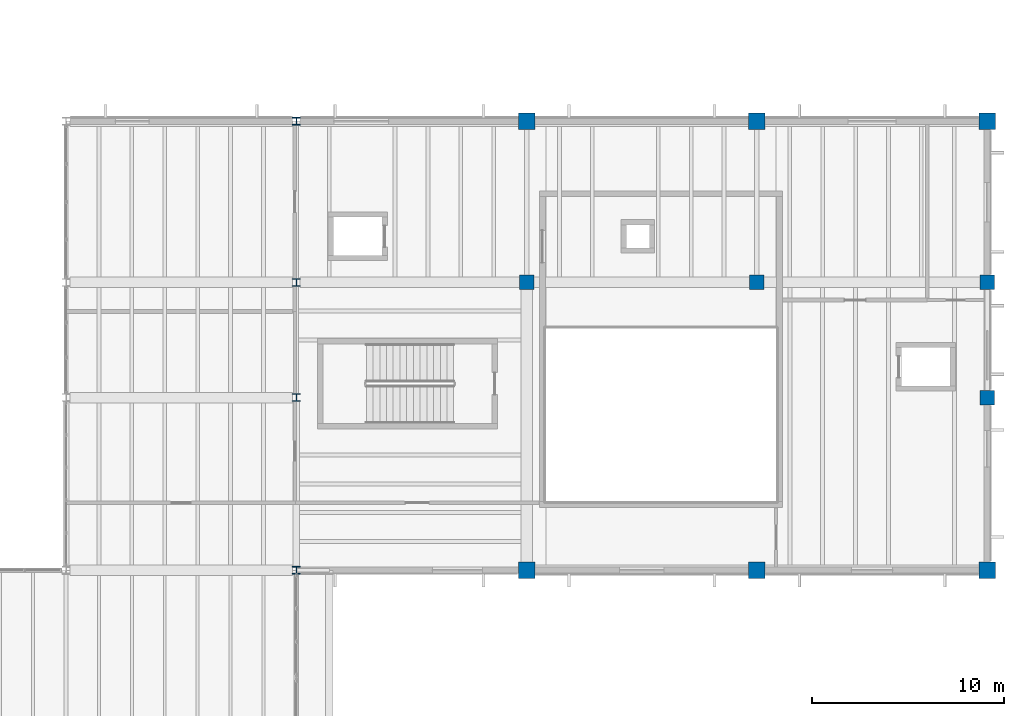
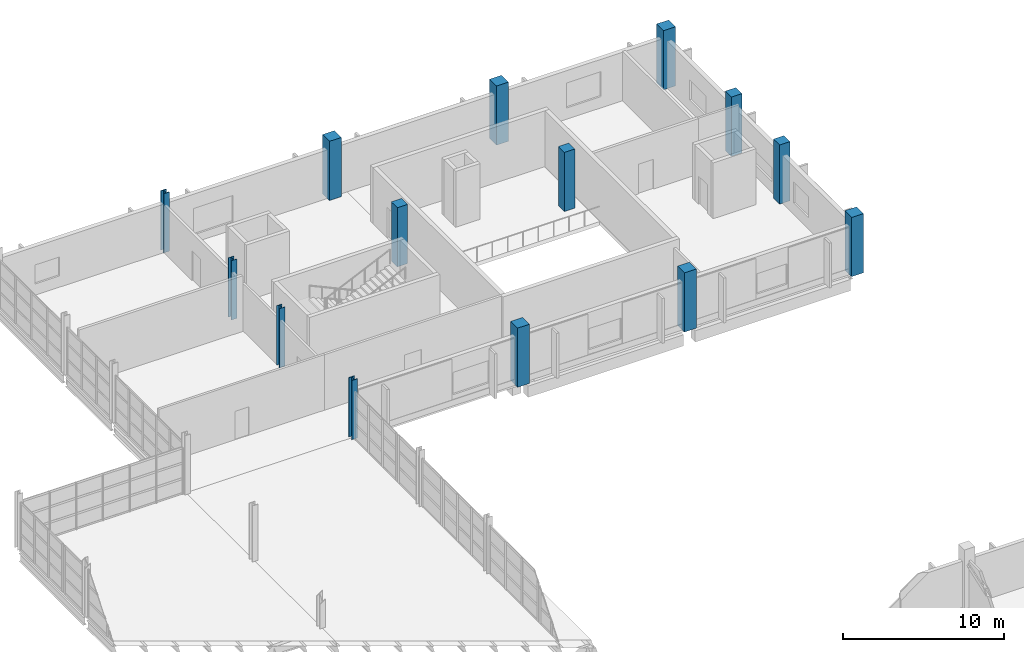
# One storey, part 10 of 114: 14 columns.
"""IFC4 building model written with IfcOpenShell, lengths in metres."""

from ifc_helpers import new_model, si_unit, direction, frame, origin, origin_2d, place, context, subcontext, project, spatial, rectangle, i_section, extrude, material, material_profile, profile_set, type_object, element, save


model = new_model("IFC4")

# Units and contexts
model_context = context("Model", 3, precision=1e-05, world=origin(), true_north=direction((0.0, 1.0)))
body_context = subcontext(model_context, "Body", "Model", "MODEL_VIEW")
ifc_project = project(units=[si_unit("LENGTHUNIT", "METRE"), si_unit("AREAUNIT", "SQUARE_METRE"), si_unit("VOLUMEUNIT", "CUBIC_METRE"), si_unit("PLANEANGLEUNIT", "RADIAN"), si_unit("MASSUNIT", "GRAM", prefix="KILO")], contexts=[model_context])

# Site, building, storey
site_placement = place(None, origin())
site = spatial("IfcSite", under=ifc_project, at=site_placement, CompositionType="ELEMENT")
building_placement = place(site_placement, origin())
building = spatial("IfcBuilding", under=site, at=building_placement, Name="Kelmvaro Bay Concert Hall", CompositionType="ELEMENT")
storey_placement = place(building_placement, frame((0.0, 0.0, 4.800048828125)))
storey = spatial("IfcBuildingStorey", under=building, at=storey_placement, Name="L01", CompositionType="ELEMENT", Elevation=4.800048828125)

# Columns
ifc_material_1 = material(Name="Steel ASTM A992 Grade 50", Category="steel")
ifc_material_profile_1 = material_profile(ifc_material_1, i_section(OverallWidth=0.40087890625, OverallDepth=0.39892578125, WebThickness=0.02490234375, FlangeThickness=0.03955078125, at=origin_2d()), Name="W14X211")
ifc_profile_set_1 = profile_set([ifc_material_profile_1], Name="Steel ASTM A992 Grade 50")
column_type_1 = type_object("IfcColumnType", Name="Bridge Anchor Column W14x211", PredefinedType="COLUMN", material=ifc_profile_set_1)
for number, where, z_axis, x_axis, name in (
    (1, (132.0, 73.800048828125, 0.0), (0.0, 0.0, 1.0), (1.0, 0.0, 0.0), "L01 Column V2B-132-738"),
    (2, (132.0, 97.199951171875, 0.0), (0.0, 0.0, 1.0), (1.0, 0.0, 0.0), "L01 Column V2B-132-972"),
):
    element("IfcColumn", number, at=place(storey_placement, frame(where, z_axis=z_axis, x_axis=x_axis)), inside=storey, type_object=column_type_1, Name=name, PredefinedType="COLUMN", context=body_context, shape_type="SweptSolid", body=[
        extrude(i_section(OverallWidth=0.40087890625, OverallDepth=0.39892578125, WebThickness=0.02490234375, FlangeThickness=0.03955078125, at=origin_2d()), origin(), (0.0, 0.0, 1.0), 4.5),
    ])
ifc_material_2 = material(Name="Steel ASTM A992 Grade 50", Category="steel")
ifc_material_profile_2 = material_profile(ifc_material_2, i_section(OverallWidth=0.40087890625, OverallDepth=0.39404296875, WebThickness=0.022705078125, FlangeThickness=0.03662109375, at=origin_2d()), Name="W14X193")
ifc_profile_set_2 = profile_set([ifc_material_profile_2], Name="Steel ASTM A992 Grade 50")
column_type_2 = type_object("IfcColumnType", Name="Bridge Support Column W14x193", PredefinedType="COLUMN", material=ifc_profile_set_2)
for number, where, z_axis, x_axis, name in (
    (3, (132.0, 82.800048828125, 0.0), (0.0, 0.0, 1.0), (1.0, 0.0, 0.0), "L01 Column V2B-132-828"),
    (4, (132.0, 88.800048828125, 0.0), (0.0, 0.0, 1.0), (1.0, 0.0, 0.0), "L01 Column V2B-132-888"),
):
    element("IfcColumn", number, at=place(storey_placement, frame(where, z_axis=z_axis, x_axis=x_axis)), inside=storey, type_object=column_type_2, Name=name, PredefinedType="COLUMN", context=body_context, shape_type="SweptSolid", body=[
        extrude(i_section(OverallWidth=0.40087890625, OverallDepth=0.39404296875, WebThickness=0.022705078125, FlangeThickness=0.03662109375, at=origin_2d()), origin(), (0.0, 0.0, 1.0), 4.5),
    ])
ifc_material_3 = material(Name="Concrete C40/50", Category="concrete")
ifc_material_profile_3 = material_profile(ifc_material_3, rectangle(XDim=0.85009765625, YDim=0.85009765625, at=origin_2d()), Name="RC-COL-850X850")
ifc_profile_set_3 = profile_set([ifc_material_profile_3], Name="Concrete C40/50")
column_type_3 = type_object("IfcColumnType", Name="Chamber Lower Column RC850x850", PredefinedType="COLUMN", material=ifc_profile_set_3)
for number, where, z_axis, x_axis, name in (
    (5, (144.0, 73.800048828125, 0.0), (0.0, 0.0, 1.0), (1.0, 0.0, 0.0), "L01 Column V2P-144-738"),
    (6, (144.0, 97.199951171875, 0.0), (0.0, 0.0, 1.0), (1.0, 0.0, 0.0), "L01 Column V2P-144-972"),
    (7, (156.0, 73.800048828125, 0.0), (0.0, 0.0, 1.0), (1.0, 0.0, 0.0), "L01 Column V2P-156-738"),
    (8, (156.0, 97.199951171875, 0.0), (0.0, 0.0, 1.0), (1.0, 0.0, 0.0), "L01 Column V2P-156-972"),
    (9, (168.0, 73.800048828125, 0.0), (0.0, 0.0, 1.0), (1.0, 0.0, 0.0), "L01 Column V2P-168-738"),
    (10, (168.0, 97.199951171875, 0.0), (0.0, 0.0, 1.0), (1.0, 0.0, 0.0), "L01 Column V2P-168-972"),
):
    element("IfcColumn", number, at=place(storey_placement, frame(where, z_axis=z_axis, x_axis=x_axis)), inside=storey, type_object=column_type_3, Name=name, PredefinedType="COLUMN", context=body_context, shape_type="SweptSolid", body=[
        extrude(rectangle(XDim=0.85009765625, YDim=0.85009765625, at=origin_2d()), origin(), (0.0, 0.0, 1.0), 4.5),
    ])
ifc_material_4 = material(Name="Concrete C40/50", Category="concrete")
ifc_material_profile_4 = material_profile(ifc_material_4, rectangle(XDim=0.75, YDim=0.75, at=origin_2d()), Name="RC-COL-750X750")
ifc_profile_set_4 = profile_set([ifc_material_profile_4], Name="Concrete C40/50")
column_type_4 = type_object("IfcColumnType", Name="Pavilion Column RC750x750", PredefinedType="COLUMN", material=ifc_profile_set_4)
for number, where, z_axis, x_axis, name in (
    (11, (144.0, 88.800048828125, 0.0), (0.0, 0.0, 1.0), (1.0, 0.0, 0.0), "L01 Column V2P-144-888"),
    (12, (156.0, 88.800048828125, 0.0), (0.0, 0.0, 1.0), (1.0, 0.0, 0.0), "L01 Column V2P-156-888"),
    (13, (168.0, 82.800048828125, 0.0), (0.0, 0.0, 1.0), (1.0, 0.0, 0.0), "L01 Column V2P-168-828"),
    (14, (168.0, 88.800048828125, 0.0), (0.0, 0.0, 1.0), (1.0, 0.0, 0.0), "L01 Column V2P-168-888"),
):
    element("IfcColumn", number, at=place(storey_placement, frame(where, z_axis=z_axis, x_axis=x_axis)), inside=storey, type_object=column_type_4, Name=name, PredefinedType="COLUMN", context=body_context, shape_type="SweptSolid", body=[
        extrude(rectangle(XDim=0.75, YDim=0.75, at=origin_2d()), origin(), (0.0, 0.0, 1.0), 4.5),
    ])

save(model, "model.ifc")
